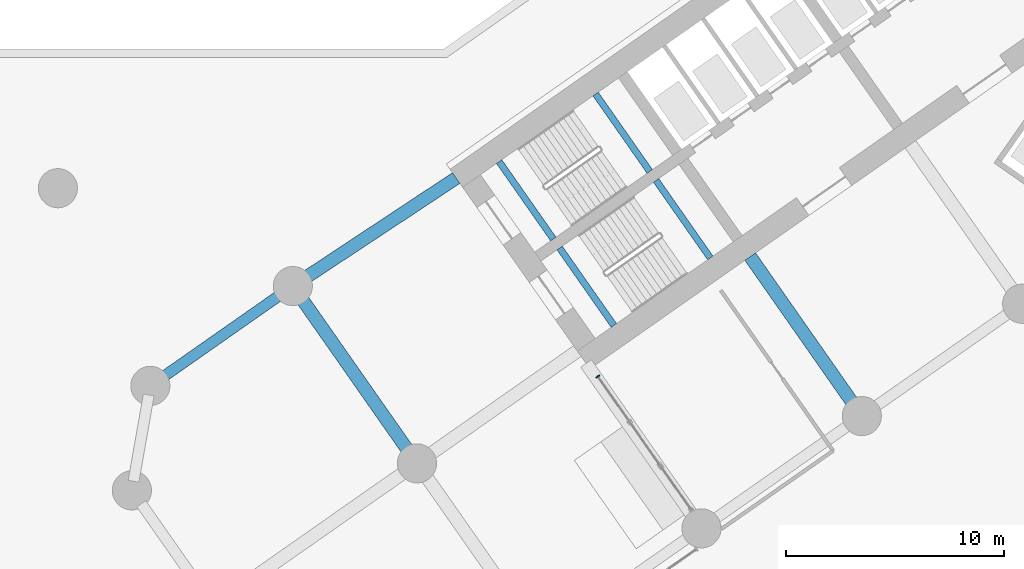
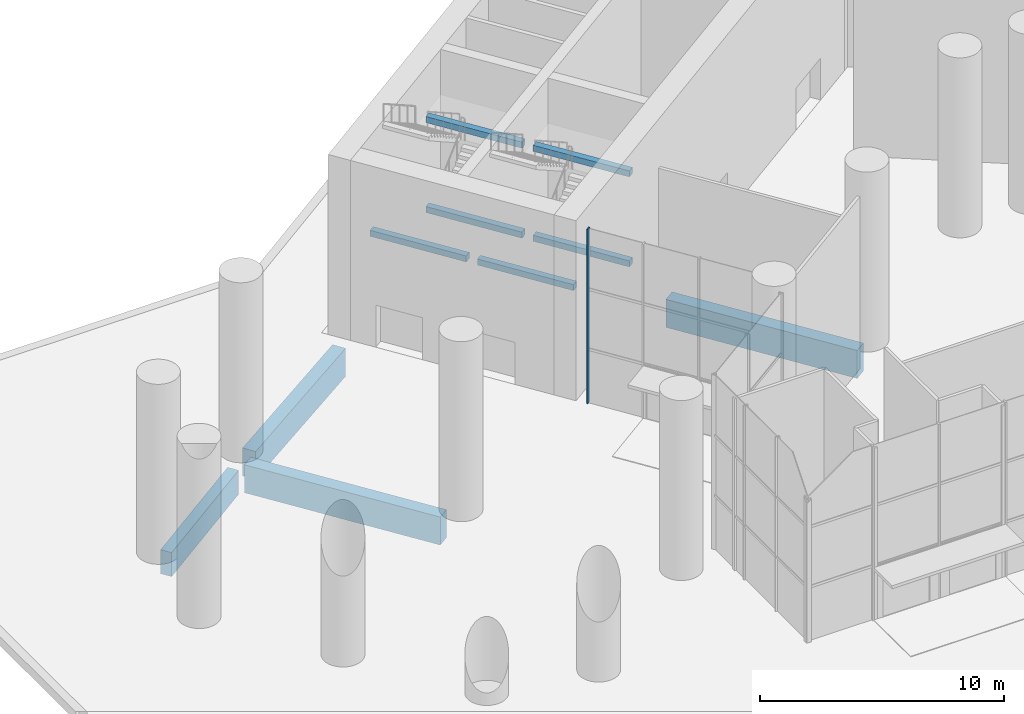
# One storey, part 11 of 37: 10 beams, 1 member, 1 element without a shape of its own.
"""IFC4 building model written with IfcOpenShell, lengths in metres."""

from ifc_helpers import new_model, si_unit, direction, frame, origin, origin_2d, place, context, subcontext, project, spatial, rectangle, extrude, material, material_profile, profile_set, type_object, element, aggregate, save


model = new_model("IFC4")

# Units and contexts
model_context = context("Model", 3, precision=1e-05, world=origin(), true_north=direction((0.0, 1.0)))
body_context = subcontext(model_context, "Body", "Model", "MODEL_VIEW")
ifc_project = project(units=[si_unit("LENGTHUNIT", "METRE"), si_unit("AREAUNIT", "SQUARE_METRE"), si_unit("VOLUMEUNIT", "CUBIC_METRE"), si_unit("PLANEANGLEUNIT", "RADIAN"), si_unit("MASSUNIT", "GRAM", prefix="KILO")], contexts=[model_context])

# Site, building, storey
site_placement = place(None, origin())
site = spatial("IfcSite", under=ifc_project, at=site_placement, CompositionType="ELEMENT")
building_placement = place(site_placement, origin())
building = spatial("IfcBuilding", under=site, at=building_placement, Name="Tel Ilan Convention Tower", CompositionType="ELEMENT")
storey_placement = place(building_placement, origin())
storey = spatial("IfcBuildingStorey", under=building, at=storey_placement, Name="L00", CompositionType="ELEMENT", Elevation=0.0)

# Beams
ifc_material_1 = material(Name="Concrete C40/50", Category="concrete")
ifc_material_profile_1 = material_profile(ifc_material_1, rectangle(XDim=0.5, YDim=1.199951171875, at=origin_2d()), Name="RC 500x1200")
ifc_profile_set_1 = profile_set([ifc_material_profile_1], Name="Concrete C40/50")
beam_type_1 = type_object("IfcBeamType", Name="Beam RC 500x1200 Concrete C40/50", PredefinedType="BEAM", material=ifc_profile_set_1)
beam_1_placement = place(storey_placement, frame((-41.135498046875, -16.656494140625, -1.050048828125), z_axis=(0.819178980414, 0.573537965655, 0.0), x_axis=(-0.573537965655, 0.819178980414, 0.0)))
element("IfcBeam", 1, at=beam_1_placement, inside=storey, type_object=beam_type_1, Name="L00 beam W-W-BC-W-B4", PredefinedType="BEAM", context=body_context, shape_type="SweptSolid", body=[
    extrude(rectangle(XDim=0.5, YDim=1.199951171875, at=origin_2d()), origin(), (0.0, 0.0, 1.0), 6.5),
])
ifc_material_2 = material(Name="Concrete C40/50", Category="concrete")
ifc_material_profile_2 = material_profile(ifc_material_2, rectangle(XDim=0.60009765625, YDim=1.39990234375, at=origin_2d()), Name="RC 600x1400")
ifc_profile_set_2 = profile_set([ifc_material_profile_2], Name="Concrete C40/50")
beam_type_2 = type_object("IfcBeamType", Name="Beam RC 600x1400 Concrete C40/50", PredefinedType="BEAM", material=ifc_profile_set_2)
beam_2_placement = place(storey_placement, frame((-34.570556640625, -12.08447265625, -1.14990234375), z_axis=(0.834273603487, 0.551350663847, 0.0), x_axis=(-0.551350663847, 0.834273603487, 0.0)))
element("IfcBeam", 2, at=beam_2_placement, inside=storey, type_object=beam_type_2, Name="L00 beam W-W-B4-core", PredefinedType="BEAM", context=body_context, shape_type="SweptSolid", body=[
    extrude(rectangle(XDim=0.60009765625, YDim=1.39990234375, at=origin_2d()), origin(), (0.0, 0.0, 1.0), 8.2529296875),
])
beam_3_placement = place(storey_placement, frame((-9.209716796875, -18.229248046875, -1.14990234375), z_axis=(-0.573574099654, 0.819153680457, 0.0), x_axis=(-0.819153680457, -0.573574099654, 0.0)))
element("IfcBeam", 3, at=beam_3_placement, inside=storey, type_object=beam_type_2, Name="L00 beam W-W-F2-core", PredefinedType="BEAM", context=body_context, shape_type="SweptSolid", body=[
    extrude(rectangle(XDim=0.60009765625, YDim=1.39990234375, at=origin_2d()), origin(), (0.0, 0.0, 1.0), 8.64990234375),
])
beam_4_placement = place(storey_placement, frame((-29.9482421875, -19.993408203125, -1.14990234375), z_axis=(-0.573577127921, 0.819151560046, 0.0), x_axis=(-0.819151560046, -0.573577127921, 0.0)))
element("IfcBeam", 4, at=beam_4_placement, inside=storey, type_object=beam_type_2, Name="L00 beam W-W-M4-W-B4", PredefinedType="BEAM", context=body_context, shape_type="SweptSolid", body=[
    extrude(rectangle(XDim=0.60009765625, YDim=1.39990234375, at=origin_2d()), origin(), (0.0, 0.0, 1.0), 8.85009765625),
])

# Curtain wall, member
ifc_material_3 = material(Name="Aluminium, bronze anodised", Category="aluminium")
curtain_wall_type = type_object("IfcCurtainWallType", Name="CW6 LOBBY PAVILION CURTAIN WALL, CLEAR GLASS", PredefinedType="NOTDEFINED", material=ifc_material_3)
curtain_wall_placement = place(storey_placement, origin())
curtain_wall = element("IfcCurtainWall", 5, at=curtain_wall_placement, inside=storey, type_object=curtain_wall_type, Name="Curtain wall CW6-03.06", PredefinedType="NOTDEFINED")
ifc_material_4 = material(Name="Aluminium, bronze anodised", Category="aluminium")
ifc_material_profile_3 = material_profile(ifc_material_4, rectangle(XDim=0.06005859375, YDim=0.199951171875, at=origin_2d()), Name="CW MULLION 60x200")
ifc_profile_set_3 = profile_set([ifc_material_profile_3], Name="Aluminium, bronze anodised")
member_type = type_object("IfcMemberType", Name="CW MULLION 60x200", PredefinedType="MULLION", material=ifc_profile_set_3)
member_placement = place(storey_placement, frame((-21.1748046875, -16.657958984375, 0.0), z_axis=(0.0, 0.0, 1.0), x_axis=(-0.573576436351, 0.819152044289, 0.0)))
member = element("IfcMember", 6, at=member_placement, type_object=member_type, Name="Mullion", PredefinedType="MULLION", context=body_context, shape_type="SweptSolid", body=[
    extrude(rectangle(XDim=0.06005859375, YDim=0.199951171875, at=origin_2d()), origin(), (0.0, 0.0, 1.0), 8.719970703125),
])
aggregate(curtain_wall, [member])

# Beams
ifc_material_5 = material(Name="Concrete C40/50", Category="concrete")
ifc_material_profile_4 = material_profile(ifc_material_5, rectangle(XDim=0.300048828125, YDim=0.300048828125, at=origin_2d()), Name="RC 300x300")
ifc_profile_set_4 = profile_set([ifc_material_profile_4], Name="Concrete C40/50")
beam_type_3 = type_object("IfcBeamType", Name="Landing Beam RC 300x300 Concrete C40/50", PredefinedType="BEAM", material=ifc_profile_set_4)
beam_5_placement = place(storey_placement, frame((-18.7841796875, -7.232177734375, 1.89990234375), z_axis=(-0.57356780395, 0.819158088694, 0.0), x_axis=(-0.819158088694, -0.57356780395, 0.0)))
element("IfcBeam", 7, at=beam_5_placement, inside=storey, type_object=beam_type_3, Name="S1 landing beam L00.1", PredefinedType="BEAM", context=body_context, shape_type="SweptSolid", body=[
    extrude(rectangle(XDim=0.300048828125, YDim=0.300048828125, at=origin_2d()), origin(), (0.0, 0.0, 1.0), 4.35009765625),
])
beam_6_placement = place(storey_placement, frame((-23.219482421875, -10.337646484375, 4.14990234375), z_axis=(-0.573556512523, 0.819165994742, 0.0), x_axis=(-0.819165994742, -0.573556512523, 0.0)))
element("IfcBeam", 8, at=beam_6_placement, inside=storey, type_object=beam_type_3, Name="S1 landing beam L00.2", PredefinedType="BEAM", context=body_context, shape_type="SweptSolid", body=[
    extrude(rectangle(XDim=0.300048828125, YDim=0.300048828125, at=origin_2d()), origin(), (0.0, 0.0, 1.0), 4.349853515625),
])
for number, where, z_axis, x_axis, name in (
    (9, (-18.7841796875, -7.232177734375, 6.39990234375), (-0.57356780395, 0.819158088694, 0.0), (-0.819158088694, -0.57356780395, 0.0), "S1 landing beam L00.3"),
    (10, (-16.00244140625, -11.205078125, 1.89990234375), (-0.57356780395, 0.819158088694, 0.0), (-0.819158088694, -0.57356780395, 0.0), "S2 landing beam L00.1"),
):
    element("IfcBeam", number, at=place(storey_placement, frame(where, z_axis=z_axis, x_axis=x_axis)), inside=storey, type_object=beam_type_3, Name=name, PredefinedType="BEAM", context=body_context, shape_type="SweptSolid", body=[
        extrude(rectangle(XDim=0.300048828125, YDim=0.300048828125, at=origin_2d()), origin(), (0.0, 0.0, 1.0), 4.35009765625),
    ])
beam_7_placement = place(storey_placement, frame((-20.4375, -14.310546875, 4.14990234375), z_axis=(-0.573594173421, 0.819139624372, 0.0), x_axis=(-0.819139624372, -0.573594173421, 0.0)))
element("IfcBeam", 11, at=beam_7_placement, inside=storey, type_object=beam_type_3, Name="S2 landing beam L00.2", PredefinedType="BEAM", context=body_context, shape_type="SweptSolid", body=[
    extrude(rectangle(XDim=0.300048828125, YDim=0.300048828125, at=origin_2d()), origin(), (0.0, 0.0, 1.0), 4.349853515625),
])
beam_8_placement = place(storey_placement, frame((-16.00244140625, -11.205078125, 6.39990234375), z_axis=(-0.57356780395, 0.819158088694, 0.0), x_axis=(-0.819158088694, -0.57356780395, 0.0)))
element("IfcBeam", 12, at=beam_8_placement, inside=storey, type_object=beam_type_3, Name="S2 landing beam L00.3", PredefinedType="BEAM", context=body_context, shape_type="SweptSolid", body=[
    extrude(rectangle(XDim=0.300048828125, YDim=0.300048828125, at=origin_2d()), origin(), (0.0, 0.0, 1.0), 4.35009765625),
])

save(model, "model.ifc")
